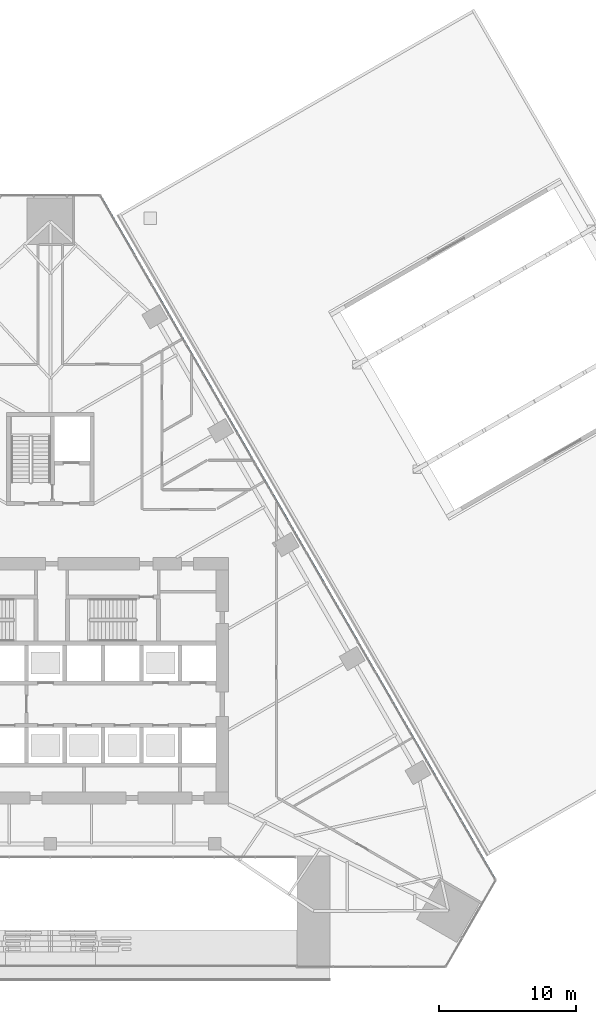
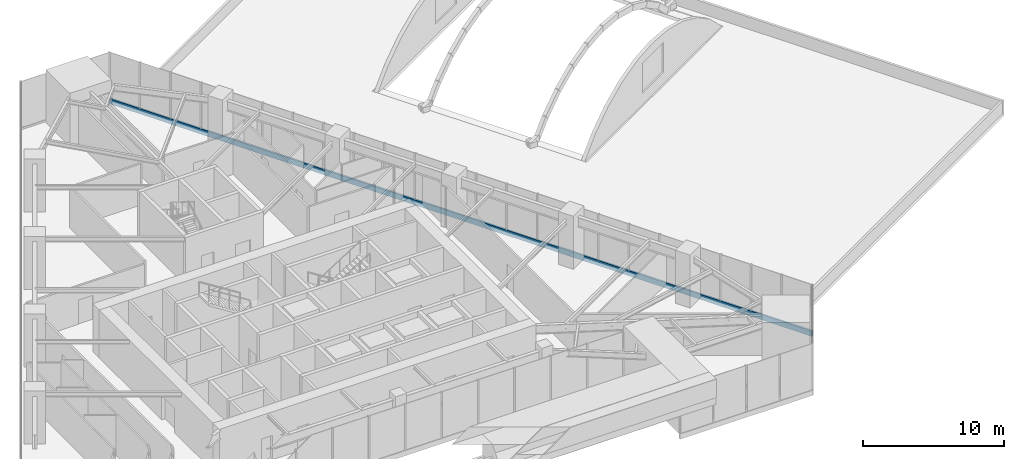
# One storey, part 11 of 23: 1 member, 1 element without a shape of its own.
"""IFC4 building model written with IfcOpenShell, lengths in metres."""

import ifcopenshell
import ifcopenshell.guid

model = None  # the IFC model being written
_history = None  # IfcOwnerHistory: only IFC2X3 demands one
_inside = {}  # id of a spatial element -> (the spatial element, [elements in it])
_under = {}  # id of a project, library or spatial element -> (it, [spatial elements below it])
_declared = {}  # id of a project -> (the project, [libraries it declares])
_typed = {}  # id of a type object -> (the type object, [elements of that type])
_made_of = {}  # id of a material, layer set ... -> (it, [elements and type objects made of it])


def new_model(schema):
    """Start an empty IFC model of exactly this schema.

    Asked for "IFC4X3", IfcOpenShell would pick the latest addendum, in which some entities
    have other attributes; the version numbers below select the first issue.
    IFC2X3 requires an IfcOwnerHistory on every rooted entity: one is made here for all.
    """
    global model, _history
    if schema == "IFC4X3":
        model = ifcopenshell.file(schema_version=(4, 3, 0, 0))
    else:
        model = ifcopenshell.file(schema=schema)
    _inside.clear()
    _under.clear()
    _declared.clear()
    _typed.clear()
    _made_of.clear()
    _history = None
    if model.schema == "IFC2X3":
        org = make("IfcOrganization", Name="unknown")
        user = make(
            "IfcPersonAndOrganization",
            ThePerson=make("IfcPerson", FamilyName="unknown"),
            TheOrganization=org,
        )
        app = make(
            "IfcApplication",
            ApplicationDeveloper=org,
            Version="unknown",
            ApplicationFullName="unknown",
            ApplicationIdentifier="unknown",
        )
        _history = make(
            "IfcOwnerHistory",
            OwningUser=user,
            OwningApplication=app,
            ChangeAction="ADDED",
            CreationDate=0,
        )
    return model


def make(cls, **values):
    """One entity of the class cls with the attributes given. An attribute that is None is left unset."""
    return model.create_entity(
        cls, **{name: value for name, value in values.items() if value is not None}
    )


def rooted(cls, **values):
    """An entity with a GlobalId (a new one), such as an element, a storey or a relation."""
    return make(cls, GlobalId=ifcopenshell.guid.new(), OwnerHistory=_history, **values)


def si_unit(unit_type, name, prefix=None):
    """IfcSIUnit, for example si_unit("LENGTHUNIT", "METRE", prefix="MILLI")."""
    return make("IfcSIUnit", UnitType=unit_type, Prefix=prefix, Name=name)


def assignment(units):
    """IfcUnitAssignment: the units of a project."""
    return None if units is None else make("IfcUnitAssignment", Units=units)


def point(xyz):
    """IfcCartesianPoint."""
    return None if xyz is None else make("IfcCartesianPoint", Coordinates=xyz)


def direction(xyz):
    """IfcDirection."""
    return None if xyz is None else make("IfcDirection", DirectionRatios=xyz)


def frame(location, z_axis=None, x_axis=None):
    """IfcAxis2Placement3D, a coordinate frame: its origin and axes. An axis left out is left unset."""
    return make(
        "IfcAxis2Placement3D",
        Location=point(location),
        Axis=direction(z_axis),
        RefDirection=direction(x_axis),
    )


def frame_2d(location, x_axis=None):
    """IfcAxis2Placement2D, a coordinate frame in the plane: its origin and x axis."""
    return make(
        "IfcAxis2Placement2D", Location=point(location), RefDirection=direction(x_axis)
    )


def origin():
    """The frame at (0, 0, 0) with its axes left unset."""
    return frame((0.0, 0.0, 0.0))


def origin_2d():
    """The frame at (0, 0) in the plane with its x axis left unset."""
    return frame_2d((0.0, 0.0))


def place(relative_to, where):
    """IfcLocalPlacement: puts the frame where relative to a parent placement (None: the world)."""
    return make(
        "IfcLocalPlacement", PlacementRelTo=relative_to, RelativePlacement=where
    )


def context(
    kind, dimensions, precision=None, world=None, true_north=None, identifier=None
):
    """IfcGeometricRepresentationContext, for example the 3D "Model" context."""
    return make(
        "IfcGeometricRepresentationContext",
        ContextIdentifier=identifier,
        ContextType=kind,
        CoordinateSpaceDimension=dimensions,
        Precision=precision,
        WorldCoordinateSystem=world,
        TrueNorth=true_north,
    )


def subcontext(parent, identifier, kind, view, scale=None):
    """IfcGeometricRepresentationSubContext, for example "Body" below "Model"."""
    return make(
        "IfcGeometricRepresentationSubContext",
        ContextIdentifier=identifier,
        ContextType=kind,
        ParentContext=parent,
        TargetScale=scale,
        TargetView=view,
    )


def project(units=None, contexts=None):
    """IfcProject with its units and contexts."""
    return rooted(
        "IfcProject",
        Name="project",
        RepresentationContexts=contexts,
        UnitsInContext=assignment(units),
    )


def spatial(cls, under=None, at=None, **own):
    """A site, building, storey or space (cls), placed at a placement, below another one or the project."""
    s = rooted(cls, ObjectPlacement=at, **own)
    if under is not None:
        _under.setdefault(under.id(), (under, []))[1].append(s)
    return s


def profile(cls, at=None, kind="AREA", **sizes):
    """A parametric profile (cls). Its sizes go by their IFC names, for example OverallWidth=200.0."""
    return make(cls, ProfileType=kind, Position=at, **sizes)


def rectangle(**sizes):
    """IfcRectangleProfileDef."""
    return profile("IfcRectangleProfileDef", **sizes)


def extrude(swept, where, along, depth):
    """IfcExtrudedAreaSolid: the profile swept, set in the frame where, extruded along a direction by depth."""
    return make(
        "IfcExtrudedAreaSolid",
        SweptArea=swept,
        Position=where,
        ExtrudedDirection=direction(along),
        Depth=depth,
    )


def shape(context_of_items, identifier, shape_type, items):
    """IfcShapeRepresentation: the items that make up one representation, for example the "Body"."""
    return make(
        "IfcShapeRepresentation",
        ContextOfItems=context_of_items,
        RepresentationIdentifier=identifier,
        RepresentationType=shape_type,
        Items=items,
    )


def material(Name=None, Category=None):
    """IfcMaterial."""
    return make("IfcMaterial", Name=Name, Category=Category)


def layer(
    of_material, thickness, ventilated=None, Name=None, Category=None, Priority=None
):
    """IfcMaterialLayer: one layer of a wall or slab, of a material (None: an air gap)."""
    return make(
        "IfcMaterialLayer",
        Material=of_material,
        LayerThickness=thickness,
        IsVentilated=ventilated,
        Name=Name,
        Category=Category,
        Priority=Priority,
    )


def layer_set(layers, Name=None):
    """IfcMaterialLayerSet."""
    return make("IfcMaterialLayerSet", MaterialLayers=layers, LayerSetName=Name)


def material_profile(
    of_material, cross_section, Name=None, Category=None, Priority=None
):
    """IfcMaterialProfile: a cross section and its material."""
    return make(
        "IfcMaterialProfile",
        Name=Name,
        Material=of_material,
        Profile=cross_section,
        Priority=Priority,
        Category=Category,
    )


def profile_set(profiles, Name=None, composite=None):
    """IfcMaterialProfileSet."""
    return make(
        "IfcMaterialProfileSet",
        Name=Name,
        MaterialProfiles=profiles,
        CompositeProfile=composite,
    )


def made_of(thing, what):
    """Note that an element or type object is made of a material, layer set ...; save() writes the relation."""
    if what is not None:
        _made_of.setdefault(what.id(), (what, []))[1].append(thing)
    return thing


def type_object(cls, material=None, **own):
    """A type object (cls), such as IfcWallType, which elements share."""
    return made_of(rooted(cls, **own), material)


def element(
    cls,
    number,
    at=None,
    inside=None,
    cuts=None,
    type_object=None,
    material=None,
    context=None,
    identifier="Body",
    shape_type=None,
    held_by="IfcProductDefinitionShape",
    body=None,
    shapes=None,
    **own,
):
    """One element of the class cls, such as IfcWall. Its Tag is "e" and its number.

    at: its placement. inside: the storey or other place that contains it. cuts: it is an
    opening in that element (IfcRelVoidsElement). A single representation is given by context,
    identifier, shape_type and body (its items); several are given by shapes. held_by: the class
    of the entity that holds the representations. save() writes the other relations.
    """
    e = rooted(cls, Tag="e%d" % number, ObjectPlacement=at, **own)
    if body is not None:
        shapes = [shape(context, identifier, shape_type, body)]
    if shapes is not None:
        e.Representation = make(held_by, Representations=shapes)
    if inside is not None:
        _inside.setdefault(inside.id(), (inside, []))[1].append(e)
    if cuts is not None:
        rooted(
            "IfcRelVoidsElement", RelatingBuildingElement=cuts, RelatedOpeningElement=e
        )
    if type_object is not None:
        _typed.setdefault(type_object.id(), (type_object, []))[1].append(e)
    return made_of(e, material)


def aggregate(whole, parts):
    """IfcRelAggregates: a whole, such as a stair, and the parts it consists of."""
    return rooted("IfcRelAggregates", RelatingObject=whole, RelatedObjects=parts)


def save(model, path):
    """Write the relations noted so far, then the file.

    IfcRelAggregates (storeys below a building ...), IfcRelContainedInSpatialStructure (elements
    in a storey), IfcRelDefinesByType, IfcRelAssociatesMaterial and IfcRelDeclares: one each for
    every whole, place, type object, material and project.
    """
    for whole, parts in _under.values():
        aggregate(whole, parts)
    for where, things in _inside.values():
        rooted(
            "IfcRelContainedInSpatialStructure",
            RelatedElements=things,
            RelatingStructure=where,
        )
    for kind, things in _typed.values():
        rooted("IfcRelDefinesByType", RelatedObjects=things, RelatingType=kind)
    for what, things in _made_of.values():
        rooted("IfcRelAssociatesMaterial", RelatedObjects=things, RelatingMaterial=what)
    for by, libraries in _declared.values():
        rooted("IfcRelDeclares", RelatingContext=by, RelatedDefinitions=libraries)
    model.write(path)


model = new_model("IFC4")

# Units and contexts
model_context = context("Model", 3, precision=1e-05, world=origin(), true_north=direction((0.0, 1.0)))
body_context = subcontext(model_context, "Body", "Model", "MODEL_VIEW")
ifc_project = project(units=[si_unit("LENGTHUNIT", "METRE"), si_unit("AREAUNIT", "SQUARE_METRE"), si_unit("VOLUMEUNIT", "CUBIC_METRE"), si_unit("PLANEANGLEUNIT", "RADIAN"), si_unit("MASSUNIT", "GRAM", prefix="KILO")], contexts=[model_context])

# Site, building, storey
site_placement = place(None, origin())
site = spatial("IfcSite", under=ifc_project, at=site_placement, CompositionType="ELEMENT")
building_placement = place(site_placement, origin())
building = spatial("IfcBuilding", under=site, at=building_placement, Name="Firuza Gate Tower and Library", CompositionType="ELEMENT")
storey_placement = place(building_placement, frame((0.0, 0.0, 26.39990234375)))
storey = spatial("IfcBuildingStorey", under=building, at=storey_placement, Name="L05", CompositionType="ELEMENT", Elevation=26.39990234375)

# Curtain wall, member
ifc_material_1 = material(Name="Aluminium 6063-T6", Category="aluminium")
ifc_layer = layer(ifc_material_1, 0.14990234375)
ifc_layer_set = layer_set([ifc_layer], Name="Stick curtain wall, podium")
curtain_wall_type = type_object("IfcCurtainWallType", Name="Stick curtain wall, podium", PredefinedType="NOTDEFINED", material=ifc_layer_set)
curtain_wall_placement = place(storey_placement, origin())
curtain_wall = element("IfcCurtainWall", 1, at=curtain_wall_placement, inside=storey, type_object=curtain_wall_type, Name="CW5 L05 E", PredefinedType="NOTDEFINED")
ifc_material_2 = material(Name="Aluminium 6063-T6", Category="aluminium")
ifc_material_profile = material_profile(ifc_material_2, rectangle(XDim=0.14990234375, YDim=0.449951171875, at=origin_2d()))
ifc_profile_set = profile_set([ifc_material_profile], Name="Aluminium 6063-T6")
member_type = type_object("IfcMemberType", Name="Curtain wall transom 450x150", PredefinedType="USERDEFINED", material=ifc_profile_set)
member_placement = place(storey_placement, frame((107.486572265625, 60.45068359375, -0.074951171875), z_axis=(-0.499998069382, 0.866026518424, 0.0), x_axis=(-0.866026518424, -0.499998069382, 0.0)))
member = element("IfcMember", 2, at=member_placement, type_object=member_type, Name="Transom", ObjectType="TRANSOM", PredefinedType="USERDEFINED", context=body_context, shape_type="SweptSolid", body=[
    extrude(rectangle(XDim=0.14990234375, YDim=0.449951171875, at=origin_2d()), origin(), (0.0, 0.0, 1.0), 57.686767578125),
])
aggregate(curtain_wall, [member])

save(model, "model.ifc")
